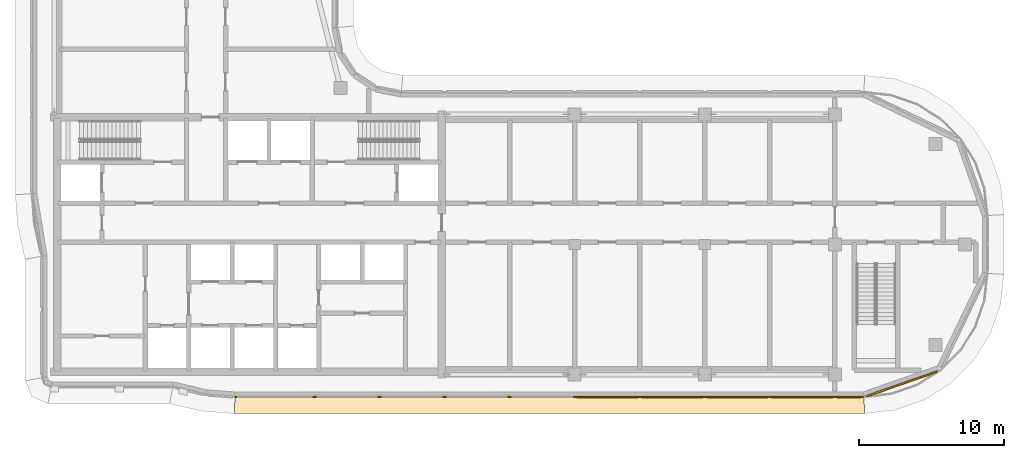
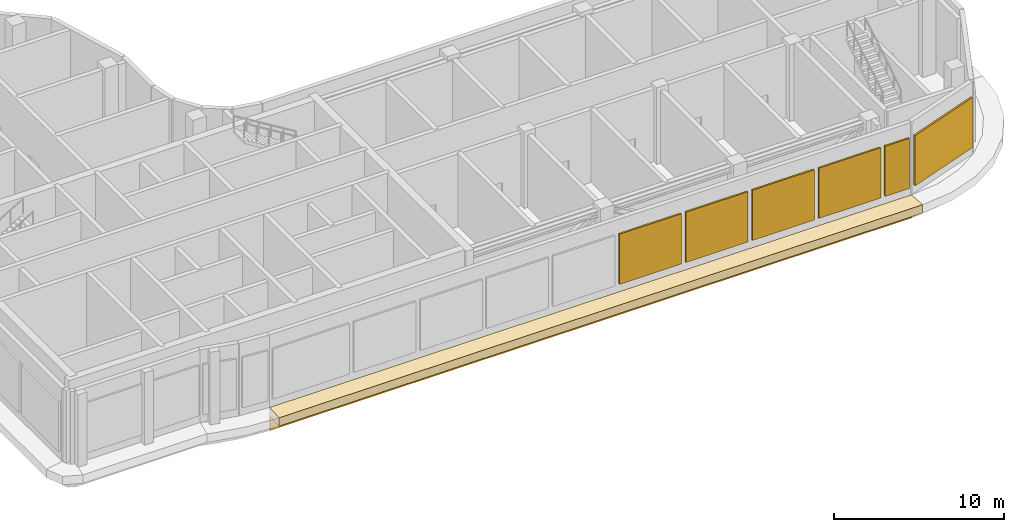
# One storey, part 12 of 14: 6 shading devices, 2 coverings.
"""IFC4 building model written with IfcOpenShell, lengths in metres."""

from ifc_helpers import new_model, si_unit, direction, frame, origin, origin_2d, place, context, subcontext, project, spatial, polyline, rectangle, outline, extrude, material, layer, layer_set, type_object, element, save


model = new_model("IFC4")

# Units and contexts
model_context = context("Model", 3, precision=1e-05, world=origin(), true_north=direction((0.0, 1.0)))
body_context = subcontext(model_context, "Body", "Model", "MODEL_VIEW")
ifc_project = project(units=[si_unit("LENGTHUNIT", "METRE"), si_unit("AREAUNIT", "SQUARE_METRE"), si_unit("VOLUMEUNIT", "CUBIC_METRE"), si_unit("PLANEANGLEUNIT", "RADIAN"), si_unit("MASSUNIT", "GRAM", prefix="KILO")], contexts=[model_context])

# Site, building, storey
site_placement = place(None, origin())
site = spatial("IfcSite", under=ifc_project, at=site_placement, CompositionType="ELEMENT")
building_placement = place(site_placement, origin())
building = spatial("IfcBuilding", under=site, at=building_placement, Name="Ogive Portal Towers", CompositionType="ELEMENT")
storey_placement = place(building_placement, frame((0.0, 0.0, 243.89990234375)))
storey = spatial("IfcBuildingStorey", under=building, at=storey_placement, Name="L61", CompositionType="ELEMENT", Elevation=243.89990234375)

# Shading devices
ifc_material_1 = material(Name="Aluminium 6063 anodised", Category="aluminium")
ifc_layer_1 = layer(ifc_material_1, 0.1201171875)
ifc_layer_set_1 = layer_set([ifc_layer_1], Name="LOUVRE BANK ALUMINIUM")
shading_device_type = type_object("IfcShadingDeviceType", Name="LOUVRE BANK ALUMINIUM", PredefinedType="USERDEFINED", material=ifc_layer_set_1)
for number, where, z_axis, x_axis, name in (
    (1, (69.75, 19.93994140625, 0.60009765625), (0.0, 0.0, 1.0), (1.0, 0.0, 0.0), "Louvre bank 6"),
    (2, (74.25, 19.93994140625, 0.60009765625), (0.0, 0.0, 1.0), (1.0, 0.0, 0.0), "Louvre bank 7"),
    (3, (78.75, 19.93994140625, 0.60009765625), (0.0, 0.0, 1.0), (1.0, 0.0, 0.0), "Louvre bank 8"),
    (4, (83.25, 19.93994140625, 0.60009765625), (0.0, 0.0, 1.0), (1.0, 0.0, 0.0), "Louvre bank 9"),
):
    element("IfcShadingDevice", number, at=place(storey_placement, frame(where, z_axis=z_axis, x_axis=x_axis)), inside=storey, type_object=shading_device_type, Name=name, ObjectType="LOUVRE", PredefinedType="USERDEFINED", context=body_context, shape_type="SweptSolid", body=[
        extrude(rectangle(XDim=4.199951171875, YDim=0.1201171875, at=origin_2d()), origin(), (0.0, 0.0, 1.0), 3.60009765625),
    ])
shading_device_1_placement = place(storey_placement, frame((86.474609375, 19.93994140625, 0.60009765625), z_axis=(0.0, 0.0, 1.0), x_axis=(1.0, 0.0, 0.0)))
element("IfcShadingDevice", 5, at=shading_device_1_placement, inside=storey, type_object=shading_device_type, Name="Louvre bank 10", ObjectType="LOUVRE", PredefinedType="USERDEFINED", context=body_context, shape_type="SweptSolid", body=[
    extrude(rectangle(XDim=1.64892578125, YDim=0.1201171875, at=origin_2d()), origin(), (0.0, 0.0, 1.0), 3.60009765625),
])
shading_device_2_placement = place(storey_placement, frame((90.135009765625, 20.8583984375, 0.60009765625), z_axis=(0.0, 0.0, 1.0), x_axis=(0.943883330307, 0.33027906196, 0.0)))
element("IfcShadingDevice", 6, at=shading_device_2_placement, inside=storey, type_object=shading_device_type, Name="Louvre bank 1", ObjectType="LOUVRE", PredefinedType="USERDEFINED", context=body_context, shape_type="SweptSolid", body=[
    extrude(rectangle(XDim=5.139404296875, YDim=0.1201171875, at=origin_2d()), origin(), (0.0, 0.0, 1.0), 3.60009765625),
])

# Coverings
ifc_material_2 = material(Name="Limestone cladding on lightweight block wall", Category="masonry")
ifc_layer_2 = layer(ifc_material_2, 0.080078125)
ifc_layer_set_2 = layer_set([ifc_layer_2], Name="STONE SPANDREL 80")
covering_type_1 = type_object("IfcCoveringType", Name="STONE SPANDREL 80", PredefinedType="CLADDING", material=ifc_layer_set_2)
covering_1_placement = place(storey_placement, frame((0.0, 0.0, -1.599853515625)))
element("IfcCovering", 7, at=covering_1_placement, inside=storey, type_object=covering_type_1, Name="Stone spandrel A1-F05", PredefinedType="CLADDING", context=body_context, shape_type="SweptSolid", body=[
    extrude(outline(polyline([(44.0, 20.0), (87.5, 20.0), (87.50439453125, 19.919921875), (43.9970703125, 19.919921875), (44.0, 20.0)])), origin(), (0.0, 0.0, 1.0), 1.0),
])
ifc_layer_3 = layer(ifc_material_2, 0.60009765625)
ifc_layer_set_3 = layer_set([ifc_layer_3], Name="SUNSHADE LIP 600")
covering_type_2 = type_object("IfcCoveringType", Name="SUNSHADE LIP 600", PredefinedType="CLADDING", material=ifc_layer_set_3)
covering_2_placement = place(storey_placement, frame((0.0, 0.0, -0.599853515625)))
element("IfcCovering", 8, at=covering_2_placement, inside=storey, type_object=covering_type_2, Name="Sunshade lip A1-F05", PredefinedType="CLADDING", context=body_context, shape_type="SweptSolid", body=[
    extrude(outline(polyline([(44.0, 20.0), (87.5, 20.0), (87.5673828125, 18.800048828125), (43.95703125, 18.800048828125), (44.0, 20.0)])), origin(), (0.0, 0.0, 1.0), 0.599853515625),
])

save(model, "model.ifc")
